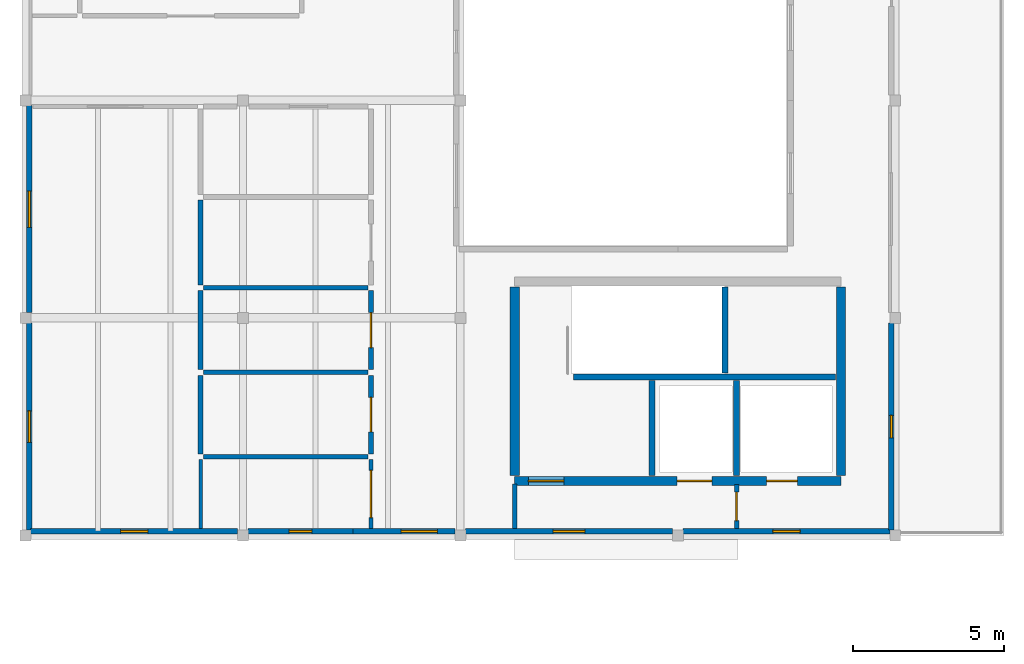
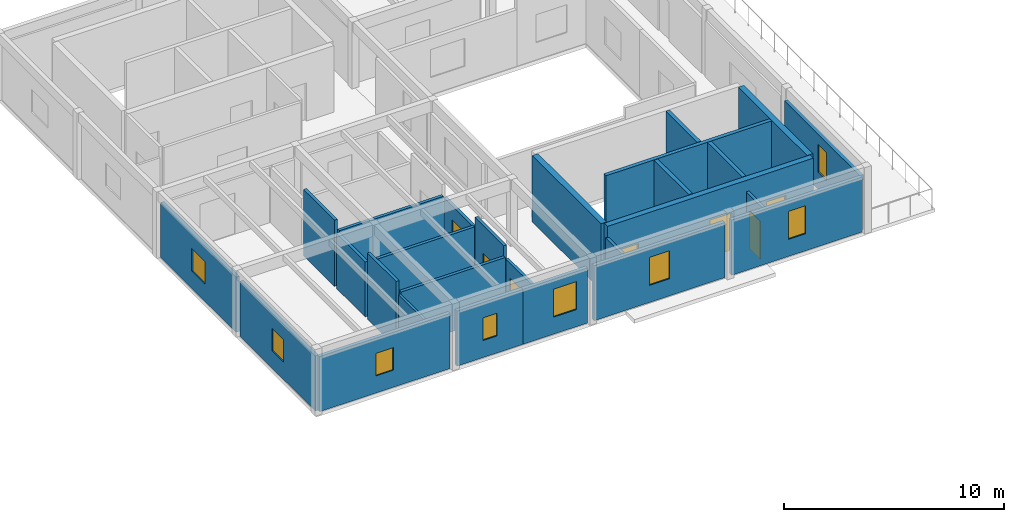
# One storey, part 2 of 5: 27 walls, 8 windows, 7 doors, 15 openings.
"""IFC4 building model written with IfcOpenShell, lengths in metres."""

from ifc_helpers import new_model, si_unit, direction, frame, frame_2d, origin, place, context, subcontext, project, spatial, rectangle, extrude, material, layer, layer_set, type_object, element, fill, save


model = new_model("IFC4")

# Units and contexts
model_context = context("Model", 3, precision=1e-05, world=origin(), true_north=direction((0.0, 1.0)))
body_context = subcontext(model_context, "Body", "Model", "MODEL_VIEW")
ifc_project = project(units=[si_unit("LENGTHUNIT", "METRE"), si_unit("AREAUNIT", "SQUARE_METRE"), si_unit("VOLUMEUNIT", "CUBIC_METRE"), si_unit("PLANEANGLEUNIT", "RADIAN"), si_unit("MASSUNIT", "GRAM", prefix="KILO")], contexts=[model_context])

# Site, building, storey
site_placement = place(None, origin())
site = spatial("IfcSite", under=ifc_project, at=site_placement, CompositionType="ELEMENT")
building_placement = place(site_placement, origin())
building = spatial("IfcBuilding", under=site, at=building_placement, Name="Bramvelor Terrace Health Centre", CompositionType="ELEMENT")
storey_placement = place(building_placement, frame((0.0, 0.0, 21.60009765625)))
storey = spatial("IfcBuildingStorey", under=building, at=storey_placement, Name="L06", CompositionType="ELEMENT", Elevation=21.60009765625)

# Wall
ifc_material_1 = material(Name="Acoustic clinical partition board", Category="gypsum")
ifc_layer_1 = layer(ifc_material_1, 0.1201171875)
ifc_layer_set_1 = layer_set([ifc_layer_1], Name="Acoustic clinical partition board")
wall_type_1 = type_object("IfcWallType", Name="WL-CLN-120", PredefinedType="PARTITIONING", material=ifc_layer_set_1)
wall_1_placement = place(storey_placement, frame((5.800048828125, 86.632568359375, 0.0), z_axis=(0.0, 0.0, 1.0), x_axis=(0.0, 1.0, 0.0)))
element("IfcWall", 1, at=wall_1_placement, inside=storey, type_object=wall_type_1, Name="L06 Interior Partition 383", PredefinedType="PARTITIONING", context=body_context, shape_type="SweptSolid", body=[
    extrude(rectangle(XDim=2.275390625, YDim=0.1201171875, at=frame_2d((1.1376953125, 0.0))), origin(), (0.0, 0.0, 1.0), 3.0498046875),
])

# Wall, opening, door
ifc_material_2 = material(Name="Fire-rated gypsum and mineral wool", Category="gypsum")
ifc_layer_2 = layer(ifc_material_2, 0.139892578125)
ifc_layer_set_2 = layer_set([ifc_layer_2], Name="Fire-rated gypsum and mineral wool")
wall_type_2 = type_object("IfcWallType", Name="WL-COR-140", PredefinedType="PARTITIONING", material=ifc_layer_set_2)
wall_2_placement = place(storey_placement, frame((11.43994140625, 88.907958984375, 0.0), z_axis=(0.0, 0.0, 1.0), x_axis=(0.0, -1.0, 0.0)))
wall_2 = element("IfcWall", 2, at=wall_2_placement, inside=storey, type_object=wall_type_2, Name="L06 Interior Partition 382", PredefinedType="PARTITIONING", context=body_context, shape_type="SweptSolid", body=[
    extrude(rectangle(XDim=2.275390625, YDim=0.139892578125, at=frame_2d((1.1376953125, 0.0))), origin(), (0.0, 0.0, 1.0), 3.0498046875),
])
opening_1_placement = place(wall_2_placement, frame((0.35791015625, 0.0, 0.0)))
opening_1 = element("IfcOpeningElement", 3, at=opening_1_placement, cuts=wall_2, Name="Opening FD-03", PredefinedType="OPENING", context=body_context, shape_type="SweptSolid", body=[
    extrude(rectangle(XDim=1.56005859375, YDim=2.219970703125, at=frame_2d((0.780029296875, 1.10986328125))), frame((0.0, 0.079833984375, 0.0), z_axis=(0.0, -1.0, 0.0), x_axis=(1.0, 0.0, 0.0)), (0.0, 0.0, 1.0), 0.159912109375),
])
ifc_material_3 = material(Name="Fire-rated steel and vision panel", Category="steel")
door_type_1 = type_object("IfcDoorType", Name="DR-FD90-156", OperationType="DOUBLE_DOOR_SINGLE_SWING", PredefinedType="DOOR", material=ifc_material_3)
door_1_placement = place(opening_1_placement, origin())
door_1 = element("IfcDoor", 4, at=door_1_placement, inside=storey, type_object=door_type_1, Name="L06 Public Health Informatics Lab Fire Door", OperationType="DOUBLE_DOOR_SINGLE_SWING", OverallHeight=2.219970703125, OverallWidth=1.56005859375, PredefinedType="DOOR", context=body_context, shape_type="SweptSolid", body=[
    extrude(rectangle(XDim=1.56005859375, YDim=2.219970703125, at=frame_2d((0.780029296875, 1.10986328125))), frame((0.0, 0.02490234375, 0.0), z_axis=(0.0, -1.0, 0.0), x_axis=(1.0, 0.0, 0.0)), (0.0, 0.0, 1.0), 0.050048828125),
])
fill(opening_1, door_1)

# Walls
ifc_material_4 = material(Name="Concrete C40/50", Category="concrete")
ifc_layer_3 = layer(ifc_material_4, 0.199951171875)
ifc_layer_set_3 = layer_set([ifc_layer_3], Name="Concrete C40/50")
wall_type_3 = type_object("IfcWallType", Name="WL-CORE-200", PredefinedType="SHEAR", material=ifc_layer_set_3)
wall_3_placement = place(storey_placement, frame((18.14990234375, 91.64990234375, 0.0), z_axis=(0.0, 0.0, 1.0), x_axis=(1.0, 0.0, 0.0)))
element("IfcWall", 5, at=wall_3_placement, inside=storey, type_object=wall_type_3, Name="C2 L06 Core Shear Wall", PredefinedType="SHEAR", context=body_context, shape_type="SweptSolid", body=[
    extrude(rectangle(XDim=8.670166015625, YDim=0.199951171875, at=frame_2d((4.3349609375, 0.0))), origin(), (0.0, 0.0, 1.0), 3.684814453125),
])
wall_4_placement = place(storey_placement, frame((23.155029296875, 91.77001953125, 0.0), z_axis=(0.0, 0.0, 1.0), x_axis=(0.0, 1.0, 0.0)))
element("IfcWall", 6, at=wall_4_placement, inside=storey, type_object=wall_type_3, Name="C2 L06 Core Shear Wall", PredefinedType="SHEAR", context=body_context, shape_type="SweptSolid", body=[
    extrude(rectangle(XDim=2.85009765625, YDim=0.199951171875, at=frame_2d((1.425048828125, 0.0))), origin(), (0.0, 0.0, 1.0), 3.684814453125),
])
for number, where, z_axis, x_axis, name in (
    (7, (20.75, 88.3798828125, 0.0), (0.0, 0.0, 1.0), (0.0, 1.0, 0.0), "C2 L06 Core Shear Wall"),
    (8, (23.550048828125, 88.3798828125, 0.0), (0.0, 0.0, 1.0), (0.0, 1.0, 0.0), "C2 L06 Lift Divider Wall"),
):
    element("IfcWall", number, at=place(storey_placement, frame(where, z_axis=z_axis, x_axis=x_axis)), inside=storey, type_object=wall_type_3, Name=name, PredefinedType="SHEAR", context=body_context, shape_type="SweptSolid", body=[
        extrude(rectangle(XDim=3.150146484375, YDim=0.199951171875, at=frame_2d((1.5751953125, 0.0))), origin(), (0.0, 0.0, 1.0), 3.684814453125),
    ])

# Wall, openings, doors
ifc_material_5 = material(Name="Concrete C40/50", Category="concrete")
ifc_layer_4 = layer(ifc_material_5, 0.300048828125)
ifc_layer_set_4 = layer_set([ifc_layer_4], Name="Concrete C40/50")
wall_type_4 = type_object("IfcWallType", Name="WL-CORE-300", PredefinedType="SHEAR", material=ifc_layer_set_4)
wall_5_placement = place(storey_placement, frame((16.199951171875, 88.199951171875, 0.0), z_axis=(0.0, 0.0, 1.0), x_axis=(1.0, 0.0, 0.0)))
wall_5 = element("IfcWall", 9, at=wall_5_placement, inside=storey, type_object=wall_type_4, Name="C2 L06 Core Shear Wall", PredefinedType="SHEAR", context=body_context, shape_type="SweptSolid", body=[
    extrude(rectangle(XDim=10.800048828125, YDim=0.300048828125, at=frame_2d((5.39990234375, 0.0))), origin(), (0.0, 0.0, 1.0), 3.684814453125),
])
opening_2_placement = place(wall_5_placement, frame((0.449951171875, 0.0, 0.0)))
opening_2 = element("IfcOpeningElement", 10, at=opening_2_placement, cuts=wall_5, Name="Opening FD-02", PredefinedType="OPENING", context=body_context, shape_type="SweptSolid", body=[
    extrude(rectangle(XDim=1.179931640625, YDim=2.159912109375, at=frame_2d((0.58984375, 1.080078125))), frame((0.0, 0.159912109375, 0.0), z_axis=(0.0, -1.0, 0.0), x_axis=(1.0, 0.0, 0.0)), (0.0, 0.0, 1.0), 0.320068359375),
])
opening_3_placement = place(wall_5_placement, frame((5.375, 0.0, 0.0)))
opening_3 = element("IfcOpeningElement", 11, at=opening_3_placement, cuts=wall_5, Name="Opening LD-1", PredefinedType="OPENING", context=body_context, shape_type="SweptSolid", body=[
    extrude(rectangle(XDim=1.14990234375, YDim=2.14990234375, at=frame_2d((0.574951171875, 1.074951171875))), frame((0.0, 0.159912109375, 0.0), z_axis=(0.0, -1.0, 0.0), x_axis=(1.0, 0.0, 0.0)), (0.0, 0.0, 1.0), 0.320068359375),
])
opening_4_placement = place(wall_5_placement, frame((8.340087890625, 0.0, 0.0)))
opening_4 = element("IfcOpeningElement", 12, at=opening_4_placement, cuts=wall_5, Name="Opening LD-2", PredefinedType="OPENING", context=body_context, shape_type="SweptSolid", body=[
    extrude(rectangle(XDim=1.02001953125, YDim=2.1201171875, at=frame_2d((0.510009765625, 1.06005859375))), frame((0.0, 0.159912109375, 0.0), z_axis=(0.0, -1.0, 0.0), x_axis=(1.0, 0.0, 0.0)), (0.0, 0.0, 1.0), 0.320068359375),
])
ifc_material_6 = material(Name="Fire-rated steel and vision panel", Category="steel")
door_type_2 = type_object("IfcDoorType", Name="DR-FD90-118", OperationType="NOTDEFINED", PredefinedType="DOOR", material=ifc_material_6)
door_2_placement = place(opening_2_placement, origin())
door_2 = element("IfcDoor", 13, at=door_2_placement, inside=storey, type_object=door_type_2, Name="C2 L06 Core Stair Fire Door", OperationType="SINGLE_SWING_LEFT", OverallHeight=2.159912109375, OverallWidth=1.179931640625, PredefinedType="DOOR", context=body_context, shape_type="SweptSolid", body=[
    extrude(rectangle(XDim=1.179931640625, YDim=2.159912109375, at=frame_2d((0.58984375, 1.080078125))), frame((0.0, 0.02490234375, 0.0), z_axis=(0.0, -1.0, 0.0), x_axis=(1.0, 0.0, 0.0)), (0.0, 0.0, 1.0), 0.050048828125),
])
fill(opening_2, door_2)
ifc_material_7 = material(Name="Brushed stainless steel 316", Category="steel")
door_type_3 = type_object("IfcDoorType", Name="DR-LIFT-FF115", OperationType="DOUBLE_DOOR_SLIDING", PredefinedType="DOOR", material=ifc_material_7)
door_3_placement = place(opening_3_placement, origin())
door_3 = element("IfcDoor", 14, at=door_3_placement, inside=storey, type_object=door_type_3, Name="Lift LF-02 L06 Sliding Landing Door", OperationType="DOUBLE_DOOR_SLIDING", OverallHeight=2.14990234375, OverallWidth=1.14990234375, PredefinedType="DOOR", context=body_context, shape_type="SweptSolid", body=[
    extrude(rectangle(XDim=1.14990234375, YDim=2.14990234375, at=frame_2d((0.574951171875, 1.074951171875))), frame((0.0, 0.02490234375, 0.0), z_axis=(0.0, -1.0, 0.0), x_axis=(1.0, 0.0, 0.0)), (0.0, 0.0, 1.0), 0.050048828125),
])
fill(opening_3, door_3)
ifc_material_8 = material(Name="Brushed stainless steel 316", Category="steel")
door_type_4 = type_object("IfcDoorType", Name="DR-LIFT-PS102", OperationType="SLIDING_TO_LEFT", PredefinedType="DOOR", material=ifc_material_8)
door_4_placement = place(opening_4_placement, origin())
door_4 = element("IfcDoor", 15, at=door_4_placement, inside=storey, type_object=door_type_4, Name="Lift LP-02 L06 Sliding Landing Door", OperationType="SLIDING_TO_LEFT", OverallHeight=2.1201171875, OverallWidth=1.02001953125, PredefinedType="DOOR", context=body_context, shape_type="SweptSolid", body=[
    extrude(rectangle(XDim=1.02001953125, YDim=2.1201171875, at=frame_2d((0.510009765625, 1.06005859375))), frame((0.0, 0.02490234375, 0.0), z_axis=(0.0, -1.0, 0.0), x_axis=(1.0, 0.0, 0.0)), (0.0, 0.0, 1.0), 0.050048828125),
])
fill(opening_4, door_4)

# Walls
for number, where, z_axis, x_axis, name in (
    (16, (16.199951171875, 88.3798828125, 0.0), (0.0, 0.0, 1.0), (0.0, 1.0, 0.0), "C2 L06 Core Shear Wall"),
    (17, (27.0, 88.3798828125, 0.0), (0.0, 0.0, 1.0), (0.0, 1.0, 0.0), "C2 L06 Core Shear Wall"),
):
    element("IfcWall", number, at=place(storey_placement, frame(where, z_axis=z_axis, x_axis=x_axis)), inside=storey, type_object=wall_type_4, Name=name, PredefinedType="SHEAR", context=body_context, shape_type="SweptSolid", body=[
        extrude(rectangle(XDim=6.240234375, YDim=0.300048828125, at=frame_2d((3.1201171875, 0.0))), origin(), (0.0, 0.0, 1.0), 3.684814453125),
    ])

# Wall, opening, window
ifc_material_9 = material(Name="Cross-laminated timber C24", Category="wood")
ifc_layer_5 = layer(ifc_material_9, 0.18505859375)
ifc_layer_set_5 = layer_set([ifc_layer_5], Name="Cross-laminated timber C24")
wall_type_5 = type_object("IfcWallType", Name="WL-EXT-CLT185", PredefinedType="SOLIDWALL", material=ifc_layer_set_5)
wall_6_placement = place(storey_placement, frame((10.840087890625, 86.530029296875, 0.0), z_axis=(0.0, 0.0, 1.0), x_axis=(-1.0, 0.0, 0.0)))
wall_6 = element("IfcWall", 18, at=wall_6_placement, inside=storey, type_object=wall_type_5, Name="L06 Exterior Facade Wall 1", PredefinedType="SOLIDWALL", context=body_context, shape_type="SweptSolid", body=[
    extrude(rectangle(XDim=3.465087890625, YDim=0.18505859375, at=frame_2d((1.732421875, 0.0))), origin(), (0.0, 0.0, 1.0), 3.0498046875),
])
opening_5_placement = place(wall_6_placement, frame((1.357421875, 0.0, 0.949951171875)))
opening_5 = element("IfcOpeningElement", 19, at=opening_5_placement, cuts=wall_6, Name="Opening WN-25", PredefinedType="OPENING", context=body_context, shape_type="SweptSolid", body=[
    extrude(rectangle(XDim=0.75, YDim=1.25, at=frame_2d((0.375, 0.625))), frame((0.0, 0.1025390625, 0.0), z_axis=(0.0, -1.0, 0.0), x_axis=(1.0, 0.0, 0.0)), (0.0, 0.0, 1.0), 0.205078125),
])
ifc_material_10 = material(Name="Double low-E laminated glass", Category="glass")
window_type_1 = type_object("IfcWindowType", Name="WIN-EXT-25", PartitioningType="SINGLE_PANEL", PredefinedType="WINDOW", material=ifc_material_10)
window_1_placement = place(opening_5_placement, origin())
window_1 = element("IfcWindow", 20, at=window_1_placement, inside=storey, type_object=window_type_1, Name="L06 Scheduled Clinical Window 265", OverallHeight=1.25, OverallWidth=0.75, PartitioningType="SINGLE_PANEL", PredefinedType="WINDOW", context=body_context, shape_type="SweptSolid", body=[
    extrude(rectangle(XDim=0.75, YDim=1.25, at=frame_2d((0.375, 0.625))), frame((0.0, 0.030029296875, 0.0), z_axis=(0.0, -1.0, 0.0), x_axis=(1.0, 0.0, 0.0)), (0.0, 0.0, 1.0), 0.06005859375),
])
fill(opening_5, window_1)

wall_7_placement = place(storey_placement, frame((7.02490234375, 86.530029296875, 0.0), z_axis=(0.0, 0.0, 1.0), x_axis=(-1.0, 0.0, 0.0)))
wall_7 = element("IfcWall", 21, at=wall_7_placement, inside=storey, type_object=wall_type_5, Name="L06 Exterior Facade Wall 2", PredefinedType="SOLIDWALL", context=body_context, shape_type="SweptSolid", body=[
    extrude(rectangle(XDim=6.849853515625, YDim=0.18505859375, at=frame_2d((3.4248046875, 0.0))), origin(), (0.0, 0.0, 1.0), 3.0498046875),
])
opening_6_placement = place(wall_7_placement, frame((2.97509765625, 0.0, 0.949951171875)))
opening_6 = element("IfcOpeningElement", 22, at=opening_6_placement, cuts=wall_7, Name="Opening WN-26", PredefinedType="OPENING", context=body_context, shape_type="SweptSolid", body=[
    extrude(rectangle(XDim=0.89990234375, YDim=1.25, at=frame_2d((0.449951171875, 0.625))), frame((0.0, 0.1025390625, 0.0), z_axis=(0.0, -1.0, 0.0), x_axis=(1.0, 0.0, 0.0)), (0.0, 0.0, 1.0), 0.205078125),
])
ifc_material_11 = material(Name="Double low-E laminated glass", Category="glass")
window_type_2 = type_object("IfcWindowType", Name="WIN-EXT-26", PartitioningType="SINGLE_PANEL", PredefinedType="WINDOW", material=ifc_material_11)
window_2_placement = place(opening_6_placement, origin())
window_2 = element("IfcWindow", 23, at=window_2_placement, inside=storey, type_object=window_type_2, Name="L06 Scheduled Clinical Window 266", OverallHeight=1.25, OverallWidth=0.89990234375, PartitioningType="SINGLE_PANEL", PredefinedType="WINDOW", context=body_context, shape_type="SweptSolid", body=[
    extrude(rectangle(XDim=0.89990234375, YDim=1.25, at=frame_2d((0.449951171875, 0.625))), frame((0.0, 0.030029296875, 0.0), z_axis=(0.0, -1.0, 0.0), x_axis=(1.0, 0.0, 0.0)), (0.0, 0.0, 1.0), 0.06005859375),
])
fill(opening_6, window_2)

wall_8_placement = place(storey_placement, frame((0.1298828125, 86.574951171875, 0.0), z_axis=(0.0, 0.0, 1.0), x_axis=(0.0, 1.0, 0.0)))
wall_8 = element("IfcWall", 24, at=wall_8_placement, inside=storey, type_object=wall_type_5, Name="L06 Exterior Facade Wall 3", PredefinedType="SOLIDWALL", context=body_context, shape_type="SweptSolid", body=[
    extrude(rectangle(XDim=6.85009765625, YDim=0.18505859375, at=frame_2d((3.425048828125, 0.0))), origin(), (0.0, 0.0, 1.0), 3.0498046875),
])
opening_7_placement = place(wall_8_placement, frame((2.89990234375, 0.0, 0.949951171875)))
opening_7 = element("IfcOpeningElement", 25, at=opening_7_placement, cuts=wall_8, Name="Opening WN-27", PredefinedType="OPENING", context=body_context, shape_type="SweptSolid", body=[
    extrude(rectangle(XDim=1.050048828125, YDim=1.25, at=frame_2d((0.52490234375, 0.625))), frame((0.0, 0.1025390625, 0.0), z_axis=(0.0, -1.0, 0.0), x_axis=(1.0, 0.0, 0.0)), (0.0, 0.0, 1.0), 0.205078125),
])
ifc_material_12 = material(Name="Double low-E laminated glass", Category="glass")
window_type_3 = type_object("IfcWindowType", Name="WIN-EXT-27", PartitioningType="SINGLE_PANEL", PredefinedType="WINDOW", material=ifc_material_12)
window_3_placement = place(opening_7_placement, origin())
window_3 = element("IfcWindow", 26, at=window_3_placement, inside=storey, type_object=window_type_3, Name="L06 Scheduled Clinical Window 267", OverallHeight=1.25, OverallWidth=1.050048828125, PartitioningType="SINGLE_PANEL", PredefinedType="WINDOW", context=body_context, shape_type="SweptSolid", body=[
    extrude(rectangle(XDim=1.050048828125, YDim=1.25, at=frame_2d((0.52490234375, 0.625))), frame((0.0, 0.030029296875, 0.0), z_axis=(0.0, -1.0, 0.0), x_axis=(1.0, 0.0, 0.0)), (0.0, 0.0, 1.0), 0.06005859375),
])
fill(opening_7, window_3)

wall_9_placement = place(storey_placement, frame((0.1298828125, 93.77490234375, 0.0), z_axis=(0.0, 0.0, 1.0), x_axis=(0.0, 1.0, 0.0)))
wall_9 = element("IfcWall", 27, at=wall_9_placement, inside=storey, type_object=wall_type_5, Name="L06 Exterior Facade Wall 4", PredefinedType="SOLIDWALL", context=body_context, shape_type="SweptSolid", body=[
    extrude(rectangle(XDim=6.85009765625, YDim=0.18505859375, at=frame_2d((3.425048828125, 0.0))), origin(), (0.0, 0.0, 1.0), 3.0498046875),
])
opening_8_placement = place(wall_9_placement, frame((2.824951171875, 0.0, 0.949951171875)))
opening_8 = element("IfcOpeningElement", 28, at=opening_8_placement, cuts=wall_9, Name="Opening WN-28", PredefinedType="OPENING", context=body_context, shape_type="SweptSolid", body=[
    extrude(rectangle(XDim=1.199951171875, YDim=1.25, at=frame_2d((0.60009765625, 0.625))), frame((0.0, 0.1025390625, 0.0), z_axis=(0.0, -1.0, 0.0), x_axis=(1.0, 0.0, 0.0)), (0.0, 0.0, 1.0), 0.205078125),
])
ifc_material_13 = material(Name="Double low-E laminated glass", Category="glass")
window_type_4 = type_object("IfcWindowType", Name="WIN-EXT-28", PartitioningType="SINGLE_PANEL", PredefinedType="WINDOW", material=ifc_material_13)
window_4_placement = place(opening_8_placement, origin())
window_4 = element("IfcWindow", 29, at=window_4_placement, inside=storey, type_object=window_type_4, Name="L06 Scheduled Clinical Window 268", OverallHeight=1.25, OverallWidth=1.199951171875, PartitioningType="SINGLE_PANEL", PredefinedType="WINDOW", context=body_context, shape_type="SweptSolid", body=[
    extrude(rectangle(XDim=1.199951171875, YDim=1.25, at=frame_2d((0.60009765625, 0.625))), frame((0.0, 0.030029296875, 0.0), z_axis=(0.0, -1.0, 0.0), x_axis=(1.0, 0.0, 0.0)), (0.0, 0.0, 1.0), 0.06005859375),
])
fill(opening_8, window_4)

wall_10_placement = place(storey_placement, frame((28.669921875, 93.425048828125, 0.0), z_axis=(0.0, 0.0, 1.0), x_axis=(0.0, -1.0, 0.0)))
wall_10 = element("IfcWall", 30, at=wall_10_placement, inside=storey, type_object=wall_type_5, Name="L06 Exterior Facade Wall 14", PredefinedType="SOLIDWALL", context=body_context, shape_type="SweptSolid", body=[
    extrude(rectangle(XDim=6.85009765625, YDim=0.18505859375, at=frame_2d((3.425048828125, 0.0))), origin(), (0.0, 0.0, 1.0), 3.0498046875),
])
opening_9_placement = place(wall_10_placement, frame((3.050048828125, 0.0, 0.949951171875)))
opening_9 = element("IfcOpeningElement", 31, at=opening_9_placement, cuts=wall_10, Name="Opening WN-37", PredefinedType="OPENING", context=body_context, shape_type="SweptSolid", body=[
    extrude(rectangle(XDim=0.75, YDim=1.550048828125, at=frame_2d((0.375, 0.77490234375))), frame((0.0, 0.1025390625, 0.0), z_axis=(0.0, -1.0, 0.0), x_axis=(1.0, 0.0, 0.0)), (0.0, 0.0, 1.0), 0.205078125),
])
ifc_material_14 = material(Name="Double low-E laminated glass", Category="glass")
window_type_5 = type_object("IfcWindowType", Name="WIN-EXT-37", PartitioningType="SINGLE_PANEL", PredefinedType="WINDOW", material=ifc_material_14)
window_5_placement = place(opening_9_placement, origin())
window_5 = element("IfcWindow", 32, at=window_5_placement, inside=storey, type_object=window_type_5, Name="L06 Scheduled Clinical Window 277", OverallHeight=1.550048828125, OverallWidth=0.75, PartitioningType="SINGLE_PANEL", PredefinedType="WINDOW", context=body_context, shape_type="SweptSolid", body=[
    extrude(rectangle(XDim=0.75, YDim=1.550048828125, at=frame_2d((0.375, 0.77490234375))), frame((0.0, 0.030029296875, 0.0), z_axis=(0.0, -1.0, 0.0), x_axis=(1.0, 0.0, 0.0)), (0.0, 0.0, 1.0), 0.06005859375),
])
fill(opening_9, window_5)

wall_11_placement = place(storey_placement, frame((28.625, 86.530029296875, 0.0), z_axis=(0.0, 0.0, 1.0), x_axis=(-1.0, 0.0, 0.0)))
wall_11 = element("IfcWall", 33, at=wall_11_placement, inside=storey, type_object=wall_type_5, Name="L06 Exterior Facade Wall 15", PredefinedType="SOLIDWALL", context=body_context, shape_type="SweptSolid", body=[
    extrude(rectangle(XDim=6.85009765625, YDim=0.18505859375, at=frame_2d((3.425048828125, 0.0))), origin(), (0.0, 0.0, 1.0), 3.0498046875),
])
opening_10_placement = place(wall_11_placement, frame((2.97509765625, 0.0, 0.949951171875)))
opening_10 = element("IfcOpeningElement", 34, at=opening_10_placement, cuts=wall_11, Name="Opening WN-38", PredefinedType="OPENING", context=body_context, shape_type="SweptSolid", body=[
    extrude(rectangle(XDim=0.89990234375, YDim=1.550048828125, at=frame_2d((0.449951171875, 0.77490234375))), frame((0.0, 0.1025390625, 0.0), z_axis=(0.0, -1.0, 0.0), x_axis=(1.0, 0.0, 0.0)), (0.0, 0.0, 1.0), 0.205078125),
])
ifc_material_15 = material(Name="Double low-E laminated glass", Category="glass")
window_type_6 = type_object("IfcWindowType", Name="WIN-EXT-38", PartitioningType="SINGLE_PANEL", PredefinedType="WINDOW", material=ifc_material_15)
window_6_placement = place(opening_10_placement, origin())
window_6 = element("IfcWindow", 35, at=window_6_placement, inside=storey, type_object=window_type_6, Name="L06 Scheduled Clinical Window 278", OverallHeight=1.550048828125, OverallWidth=0.89990234375, PartitioningType="SINGLE_PANEL", PredefinedType="WINDOW", context=body_context, shape_type="SweptSolid", body=[
    extrude(rectangle(XDim=0.89990234375, YDim=1.550048828125, at=frame_2d((0.449951171875, 0.77490234375))), frame((0.0, 0.030029296875, 0.0), z_axis=(0.0, -1.0, 0.0), x_axis=(1.0, 0.0, 0.0)), (0.0, 0.0, 1.0), 0.06005859375),
])
fill(opening_10, window_6)

wall_12_placement = place(storey_placement, frame((21.425048828125, 86.530029296875, 0.0), z_axis=(0.0, 0.0, 1.0), x_axis=(-1.0, 0.0, 0.0)))
wall_12 = element("IfcWall", 36, at=wall_12_placement, inside=storey, type_object=wall_type_5, Name="L06 Exterior Facade Wall 16", PredefinedType="SOLIDWALL", context=body_context, shape_type="SweptSolid", body=[
    extrude(rectangle(XDim=6.85009765625, YDim=0.18505859375, at=frame_2d((3.425048828125, 0.0))), origin(), (0.0, 0.0, 1.0), 3.0498046875),
])
opening_11_placement = place(wall_12_placement, frame((2.89990234375, 0.0, 0.949951171875)))
opening_11 = element("IfcOpeningElement", 37, at=opening_11_placement, cuts=wall_12, Name="Opening WN-39", PredefinedType="OPENING", context=body_context, shape_type="SweptSolid", body=[
    extrude(rectangle(XDim=1.050048828125, YDim=1.550048828125, at=frame_2d((0.52490234375, 0.77490234375))), frame((0.0, 0.1025390625, 0.0), z_axis=(0.0, -1.0, 0.0), x_axis=(1.0, 0.0, 0.0)), (0.0, 0.0, 1.0), 0.205078125),
])
ifc_material_16 = material(Name="Double low-E laminated glass", Category="glass")
window_type_7 = type_object("IfcWindowType", Name="WIN-EXT-39", PartitioningType="SINGLE_PANEL", PredefinedType="WINDOW", material=ifc_material_16)
window_7_placement = place(opening_11_placement, origin())
window_7 = element("IfcWindow", 38, at=window_7_placement, inside=storey, type_object=window_type_7, Name="L06 Scheduled Clinical Window 279", OverallHeight=1.550048828125, OverallWidth=1.050048828125, PartitioningType="SINGLE_PANEL", PredefinedType="WINDOW", context=body_context, shape_type="SweptSolid", body=[
    extrude(rectangle(XDim=1.050048828125, YDim=1.550048828125, at=frame_2d((0.52490234375, 0.77490234375))), frame((0.0, 0.030029296875, 0.0), z_axis=(0.0, -1.0, 0.0), x_axis=(1.0, 0.0, 0.0)), (0.0, 0.0, 1.0), 0.06005859375),
])
fill(opening_11, window_7)

wall_13_placement = place(storey_placement, frame((14.22509765625, 86.530029296875, 0.0), z_axis=(0.0, 0.0, 1.0), x_axis=(-1.0, 0.0, 0.0)))
wall_13 = element("IfcWall", 39, at=wall_13_placement, inside=storey, type_object=wall_type_5, Name="L06 Exterior Facade Wall 17", PredefinedType="SOLIDWALL", context=body_context, shape_type="SweptSolid", body=[
    extrude(rectangle(XDim=3.465087890625, YDim=0.18505859375, at=frame_2d((1.732421875, 0.0))), origin(), (0.0, 0.0, 1.0), 3.0498046875),
])
opening_12_placement = place(wall_13_placement, frame((0.58251953125, 0.0, 0.949951171875)))
opening_12 = element("IfcOpeningElement", 40, at=opening_12_placement, cuts=wall_13, Name="Opening WN-40", PredefinedType="OPENING", context=body_context, shape_type="SweptSolid", body=[
    extrude(rectangle(XDim=1.199951171875, YDim=1.550048828125, at=frame_2d((0.60009765625, 0.77490234375))), frame((0.0, 0.1025390625, 0.0), z_axis=(0.0, -1.0, 0.0), x_axis=(1.0, 0.0, 0.0)), (0.0, 0.0, 1.0), 0.205078125),
])
ifc_material_17 = material(Name="Double low-E laminated glass", Category="glass")
window_type_8 = type_object("IfcWindowType", Name="WIN-EXT-40", PartitioningType="SINGLE_PANEL", PredefinedType="WINDOW", material=ifc_material_17)
window_8_placement = place(opening_12_placement, origin())
window_8 = element("IfcWindow", 41, at=window_8_placement, inside=storey, type_object=window_type_8, Name="L06 Scheduled Clinical Window 280", OverallHeight=1.550048828125, OverallWidth=1.199951171875, PartitioningType="SINGLE_PANEL", PredefinedType="WINDOW", context=body_context, shape_type="SweptSolid", body=[
    extrude(rectangle(XDim=1.199951171875, YDim=1.550048828125, at=frame_2d((0.60009765625, 0.77490234375))), frame((0.0, 0.030029296875, 0.0), z_axis=(0.0, -1.0, 0.0), x_axis=(1.0, 0.0, 0.0)), (0.0, 0.0, 1.0), 0.06005859375),
])
fill(opening_12, window_8)

# Wall
ifc_material_18 = material(Name="Fire-rated gypsum and mineral wool", Category="gypsum")
ifc_layer_6 = layer(ifc_material_18, 0.14990234375)
ifc_layer_set_6 = layer_set([ifc_layer_6], Name="Fire-rated gypsum and mineral wool")
wall_type_6 = type_object("IfcWallType", Name="WL-FIR-150", PredefinedType="PARTITIONING", material=ifc_layer_set_6)
wall_14_placement = place(storey_placement, frame((16.199951171875, 86.632568359375, 0.0), z_axis=(0.0, 0.0, 1.0), x_axis=(0.0, 1.0, 0.0)))
element("IfcWall", 42, at=wall_14_placement, inside=storey, type_object=wall_type_6, Name="L06 Interior Partition 360", PredefinedType="PARTITIONING", context=body_context, shape_type="SweptSolid", body=[
    extrude(rectangle(XDim=1.472412109375, YDim=0.14990234375, at=frame_2d((0.736328125, 0.0))), origin(), (0.0, 0.0, 1.0), 3.0498046875),
])

# Wall, opening, door
wall_15_placement = place(storey_placement, frame((23.550048828125, 88.083251953125, 0.0), z_axis=(0.0, 0.0, 1.0), x_axis=(0.0, -1.0, 0.0)))
wall_15 = element("IfcWall", 43, at=wall_15_placement, inside=storey, type_object=wall_type_6, Name="L06 Interior Partition 361", PredefinedType="PARTITIONING", context=body_context, shape_type="SweptSolid", body=[
    extrude(rectangle(XDim=1.45068359375, YDim=0.14990234375, at=frame_2d((0.725341796875, 0.0))), origin(), (0.0, 0.0, 1.0), 3.0498046875),
])
opening_13_placement = place(wall_15_placement, frame((0.25537109375, 0.0, 0.0)))
opening_13 = element("IfcOpeningElement", 44, at=opening_13_placement, cuts=wall_15, Name="Opening FD-08", PredefinedType="OPENING", context=body_context, shape_type="SweptSolid", body=[
    extrude(rectangle(XDim=0.93994140625, YDim=2.10009765625, at=frame_2d((0.469970703125, 1.050048828125))), frame((0.0, 0.0849609375, 0.0), z_axis=(0.0, -1.0, 0.0), x_axis=(1.0, 0.0, 0.0)), (0.0, 0.0, 1.0), 0.169921875),
])
ifc_material_19 = material(Name="Fire-rated steel and vision panel", Category="steel")
door_type_5 = type_object("IfcDoorType", Name="DR-FD60-094", OperationType="NOTDEFINED", PredefinedType="DOOR", material=ifc_material_19)
door_5_placement = place(opening_13_placement, origin())
door_5 = element("IfcDoor", 45, at=door_5_placement, inside=storey, type_object=door_type_5, Name="L06 Fire Compartment Lobby Door 151", OperationType="SINGLE_SWING_LEFT", OverallHeight=2.10009765625, OverallWidth=0.93994140625, PredefinedType="DOOR", context=body_context, shape_type="SweptSolid", body=[
    extrude(rectangle(XDim=0.93994140625, YDim=2.10009765625, at=frame_2d((0.469970703125, 1.050048828125))), frame((0.0, 0.02490234375, 0.0), z_axis=(0.0, -1.0, 0.0), x_axis=(1.0, 0.0, 0.0)), (0.0, 0.0, 1.0), 0.050048828125),
])
fill(opening_13, door_5)

# Walls
ifc_material_20 = material(Name="Moisture-resistant service chase board", Category="gypsum")
ifc_layer_7 = layer(ifc_material_20, 0.159912109375)
ifc_layer_set_7 = layer_set([ifc_layer_7], Name="Moisture-resistant service chase board")
wall_type_7 = type_object("IfcWallType", Name="WL-PLM-160", PredefinedType="PLUMBINGWALL", material=ifc_layer_set_7)
wall_16_placement = place(storey_placement, frame((11.35009765625, 94.60009765625, 0.0), z_axis=(0.0, 0.0, 1.0), x_axis=(-1.0, 0.0, 0.0)))
element("IfcWall", 46, at=wall_16_placement, inside=storey, type_object=wall_type_7, Name="L06 Interior Partition 368", PredefinedType="PLUMBINGWALL", context=body_context, shape_type="SweptSolid", body=[
    extrude(rectangle(XDim=5.460205078125, YDim=0.159912109375, at=frame_2d((2.72998046875, 0.0))), origin(), (0.0, 0.0, 1.0), 3.1298828125),
])
wall_17_placement = place(storey_placement, frame((5.800048828125, 94.68994140625, 0.0), z_axis=(0.0, 0.0, 1.0), x_axis=(0.0, 1.0, 0.0)))
element("IfcWall", 47, at=wall_17_placement, inside=storey, type_object=wall_type_7, Name="L06 Interior Partition 369", PredefinedType="PLUMBINGWALL", context=body_context, shape_type="SweptSolid", body=[
    extrude(rectangle(XDim=2.81005859375, YDim=0.159912109375, at=frame_2d((1.405029296875, 0.0))), origin(), (0.0, 0.0, 1.0), 3.669921875),
])

# Wall, opening, door
wall_18_placement = place(storey_placement, frame((11.43994140625, 94.5, 0.0), z_axis=(0.0, 0.0, 1.0), x_axis=(0.0, -1.0, 0.0)))
wall_18 = element("IfcWall", 48, at=wall_18_placement, inside=storey, type_object=wall_type_7, Name="L06 Interior Partition 370", PredefinedType="PLUMBINGWALL", context=body_context, shape_type="SweptSolid", body=[
    extrude(rectangle(XDim=2.610107421875, YDim=0.159912109375, at=frame_2d((1.30517578125, 0.0))), origin(), (0.0, 0.0, 1.0), 3.0498046875),
])
opening_14_placement = place(wall_18_placement, frame((0.72509765625, 0.0, 0.0)))
opening_14 = element("IfcOpeningElement", 49, at=opening_14_placement, cuts=wall_18, Name="Opening ID-C05", PredefinedType="OPENING", context=body_context, shape_type="SweptSolid", body=[
    extrude(rectangle(XDim=1.159912109375, YDim=2.260009765625, at=frame_2d((0.580078125, 1.1298828125))), frame((0.0, 0.08984375, 0.0), z_axis=(0.0, -1.0, 0.0), x_axis=(1.0, 0.0, 0.0)), (0.0, 0.0, 1.0), 0.179931640625),
])
ifc_material_21 = material(Name="Solid-core acoustic timber laminate", Category="wood")
door_type_6 = type_object("IfcDoorType", Name="DR-CLN-05", OperationType="NOTDEFINED", PredefinedType="DOOR", material=ifc_material_21)
door_6_placement = place(opening_14_placement, origin())
door_6 = element("IfcDoor", 50, at=door_6_placement, inside=storey, type_object=door_type_6, Name="L06 Public Male WC Clinical Door", OperationType="SINGLE_SWING_LEFT", OverallHeight=2.260009765625, OverallWidth=1.159912109375, PredefinedType="DOOR", context=body_context, shape_type="SweptSolid", body=[
    extrude(rectangle(XDim=1.159912109375, YDim=2.260009765625, at=frame_2d((0.580078125, 1.1298828125))), frame((0.0, 0.02490234375, 0.0), z_axis=(0.0, -1.0, 0.0), x_axis=(1.0, 0.0, 0.0)), (0.0, 0.0, 1.0), 0.050048828125),
])
fill(opening_14, door_6)

# Walls
wall_19_placement = place(storey_placement, frame((11.35009765625, 91.800048828125, 0.0), z_axis=(0.0, 0.0, 1.0), x_axis=(-1.0, 0.0, 0.0)))
element("IfcWall", 51, at=wall_19_placement, inside=storey, type_object=wall_type_7, Name="L06 Interior Partition 371", PredefinedType="PLUMBINGWALL", context=body_context, shape_type="SweptSolid", body=[
    extrude(rectangle(XDim=5.460205078125, YDim=0.159912109375, at=frame_2d((2.72998046875, 0.0))), origin(), (0.0, 0.0, 1.0), 3.1298828125),
])
wall_20_placement = place(storey_placement, frame((5.800048828125, 91.889892578125, 0.0), z_axis=(0.0, 0.0, 1.0), x_axis=(0.0, 1.0, 0.0)))
element("IfcWall", 52, at=wall_20_placement, inside=storey, type_object=wall_type_7, Name="L06 Interior Partition 372", PredefinedType="PLUMBINGWALL", context=body_context, shape_type="SweptSolid", body=[
    extrude(rectangle(XDim=2.610107421875, YDim=0.159912109375, at=frame_2d((1.30517578125, 0.0))), origin(), (0.0, 0.0, 1.0), 3.0498046875),
])

# Wall, opening, door
wall_21_placement = place(storey_placement, frame((11.43994140625, 91.699951171875, 0.0), z_axis=(0.0, 0.0, 1.0), x_axis=(0.0, -1.0, 0.0)))
wall_21 = element("IfcWall", 53, at=wall_21_placement, inside=storey, type_object=wall_type_7, Name="L06 Interior Partition 373", PredefinedType="PLUMBINGWALL", context=body_context, shape_type="SweptSolid", body=[
    extrude(rectangle(XDim=2.60986328125, YDim=0.159912109375, at=frame_2d((1.304931640625, 0.0))), origin(), (0.0, 0.0, 1.0), 3.669921875),
])
opening_15_placement = place(wall_21_placement, frame((0.735107421875, 0.0, 0.0)))
opening_15 = element("IfcOpeningElement", 54, at=opening_15_placement, cuts=wall_21, Name="Opening ID-C06", PredefinedType="OPENING", context=body_context, shape_type="SweptSolid", body=[
    extrude(rectangle(XDim=1.139892578125, YDim=2.1201171875, at=frame_2d((0.56982421875, 1.06005859375))), frame((0.0, 0.08984375, 0.0), z_axis=(0.0, -1.0, 0.0), x_axis=(1.0, 0.0, 0.0)), (0.0, 0.0, 1.0), 0.179931640625),
])
ifc_material_22 = material(Name="Solid-core acoustic timber laminate", Category="wood")
door_type_7 = type_object("IfcDoorType", Name="DR-CLN-06", OperationType="NOTDEFINED", PredefinedType="DOOR", material=ifc_material_22)
door_7_placement = place(opening_15_placement, origin())
door_7 = element("IfcDoor", 55, at=door_7_placement, inside=storey, type_object=door_type_7, Name="L06 Public Female WC Clinical Door", OperationType="SINGLE_SWING_RIGHT", OverallHeight=2.1201171875, OverallWidth=1.139892578125, PredefinedType="DOOR", context=body_context, shape_type="SweptSolid", body=[
    extrude(rectangle(XDim=1.139892578125, YDim=2.1201171875, at=frame_2d((0.56982421875, 1.06005859375))), frame((0.0, 0.02490234375, 0.0), z_axis=(0.0, -1.0, 0.0), x_axis=(1.0, 0.0, 0.0)), (0.0, 0.0, 1.0), 0.050048828125),
])
fill(opening_15, door_7)

# Walls
wall_22_placement = place(storey_placement, frame((11.35009765625, 89.0, 0.0), z_axis=(0.0, 0.0, 1.0), x_axis=(-1.0, 0.0, 0.0)))
element("IfcWall", 56, at=wall_22_placement, inside=storey, type_object=wall_type_7, Name="L06 Interior Partition 374", PredefinedType="PLUMBINGWALL", context=body_context, shape_type="SweptSolid", body=[
    extrude(rectangle(XDim=5.460205078125, YDim=0.159912109375, at=frame_2d((2.72998046875, 0.0))), origin(), (0.0, 0.0, 1.0), 3.1298828125),
])
wall_23_placement = place(storey_placement, frame((5.800048828125, 89.090087890625, 0.0), z_axis=(0.0, 0.0, 1.0), x_axis=(0.0, 1.0, 0.0)))
element("IfcWall", 57, at=wall_23_placement, inside=storey, type_object=wall_type_7, Name="L06 Interior Partition 375", PredefinedType="PLUMBINGWALL", context=body_context, shape_type="SweptSolid", body=[
    extrude(rectangle(XDim=2.60986328125, YDim=0.159912109375, at=frame_2d((1.304931640625, 0.0))), origin(), (0.0, 0.0, 1.0), 3.669921875),
])

save(model, "model.ifc")
